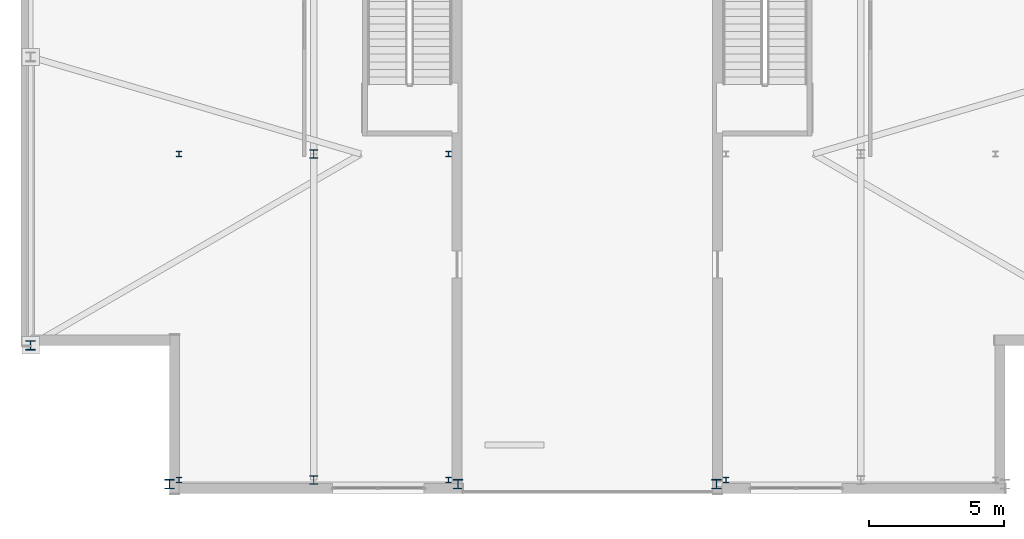
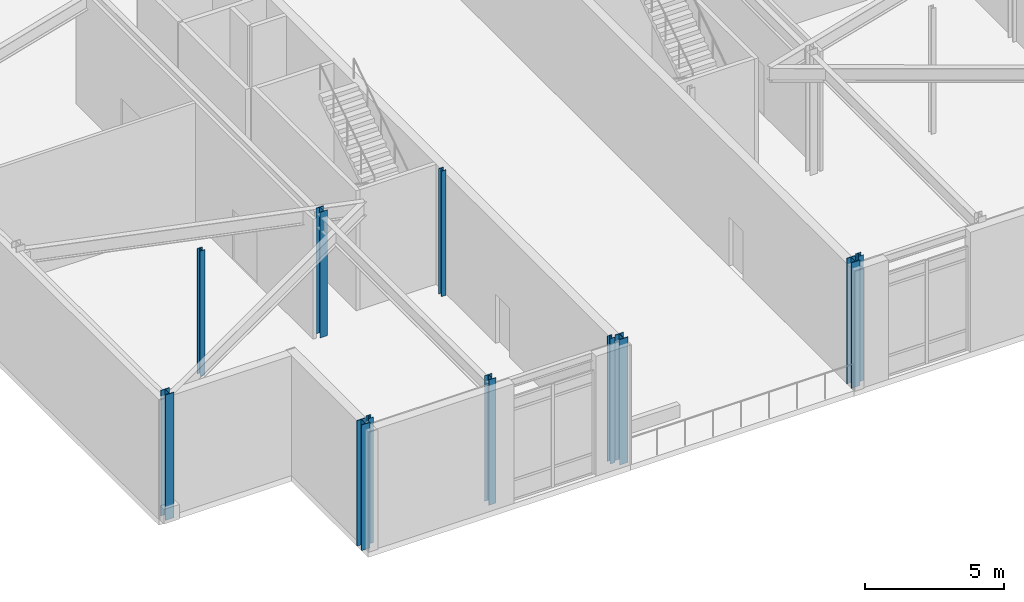
# One storey, part 1 of 16: 11 columns.
"""IFC4 building model written with IfcOpenShell, lengths in metres."""

from ifc_helpers import new_model, si_unit, direction, frame, origin, origin_2d, place, context, subcontext, project, spatial, i_section, extrude, material, material_profile, profile_set, type_object, element, save


model = new_model("IFC4")

# Units and contexts
model_context = context("Model", 3, precision=1e-05, world=origin(), true_north=direction((0.0, 1.0)))
body_context = subcontext(model_context, "Body", "Model", "MODEL_VIEW")
ifc_project = project(units=[si_unit("LENGTHUNIT", "METRE"), si_unit("AREAUNIT", "SQUARE_METRE"), si_unit("VOLUMEUNIT", "CUBIC_METRE"), si_unit("PLANEANGLEUNIT", "RADIAN"), si_unit("MASSUNIT", "GRAM", prefix="KILO")], contexts=[model_context])

# Site, building, storey
site_placement = place(None, origin())
site = spatial("IfcSite", under=ifc_project, at=site_placement, CompositionType="ELEMENT")
building_placement = place(site_placement, origin())
building = spatial("IfcBuilding", under=site, at=building_placement, Name="Cairnveth Concourse Tower", CompositionType="ELEMENT")
storey_placement = place(building_placement, frame((0.0, 0.0, 324.5)))
storey = spatial("IfcBuildingStorey", under=building, at=storey_placement, Name="L89", CompositionType="ELEMENT", Elevation=324.5)

# Columns
ifc_material = material(Name="Steel Grade 350", Category="steel")
ifc_material_profile_1 = material_profile(ifc_material, i_section(OverallWidth=0.202880859375, OverallDepth=0.202880859375, WebThickness=0.00927734375, FlangeThickness=0.01416015625, FilletRadius=0.010009765625, at=origin_2d()), Name="200UC59.5")
ifc_profile_set_1 = profile_set([ifc_material_profile_1], Name="Steel Grade 350")
column_type_1 = type_object("IfcColumnType", Name="PILASTER STEEL COLUMN 200UC59.5", PredefinedType="PILASTER", material=ifc_profile_set_1)
for number, where, z_axis, x_axis, name in (
    (1, (36.85009765625, 18.5, 0.0), (0.0, 0.0, 1.0), (1.0, 0.0, 0.0), "Column CRL-W1 L89"),
    (2, (46.85009765625, 18.5, 0.0), (0.0, 0.0, 1.0), (1.0, 0.0, 0.0), "Column CRR-W1 L89"),
    (3, (36.85009765625, 30.60009765625, 0.0), (0.0, 0.0, 1.0), (1.0, 0.0, 0.0), "Column CRL-W2 L89"),
    (4, (46.85009765625, 30.60009765625, 0.0), (0.0, 0.0, 1.0), (1.0, 0.0, 0.0), "Column CRR-W2 L89"),
    (5, (57.14990234375, 18.5, 0.0), (0.0, 0.0, 1.0), (1.0, 0.0, 0.0), "Column CRL-E1 L89"),
):
    element("IfcColumn", number, at=place(storey_placement, frame(where, z_axis=z_axis, x_axis=x_axis)), inside=storey, type_object=column_type_1, Name=name, PredefinedType="PILASTER", context=body_context, shape_type="SweptSolid", body=[
        extrude(i_section(OverallWidth=0.202880859375, OverallDepth=0.202880859375, WebThickness=0.00927734375, FlangeThickness=0.01416015625, FilletRadius=0.010009765625, at=origin_2d()), origin(), (0.0, 0.0, 1.0), 5.5),
    ])
ifc_material_profile_2 = material_profile(ifc_material, i_section(OverallWidth=0.306884765625, OverallDepth=0.31494140625, WebThickness=0.011962890625, FlangeThickness=0.018798828125, FilletRadius=0.01611328125, at=origin_2d()), Name="310UC118")
ifc_profile_set_2 = profile_set([ifc_material_profile_2], Name="Steel Grade 350")
column_type_2 = type_object("IfcColumnType", Name="UNIVERSAL STEEL COLUMN 310UC118", PredefinedType="COLUMN", material=ifc_profile_set_2)
for number, where, z_axis, x_axis, name in (
    (6, (41.85009765625, 18.5, 0.0), (0.0, 0.0, 1.0), (1.0, 0.0, 0.0), "Column CRM-W1 L89"),
    (7, (41.85009765625, 30.60009765625, 0.0), (0.0, 0.0, 1.0), (1.0, 0.0, 0.0), "Column CRM-W2 L89"),
):
    element("IfcColumn", number, at=place(storey_placement, frame(where, z_axis=z_axis, x_axis=x_axis)), inside=storey, type_object=column_type_2, Name=name, PredefinedType="COLUMN", context=body_context, shape_type="SweptSolid", body=[
        extrude(i_section(OverallWidth=0.306884765625, OverallDepth=0.31494140625, WebThickness=0.011962890625, FlangeThickness=0.018798828125, FilletRadius=0.01611328125, at=origin_2d()), origin(), (0.0, 0.0, 1.0), 5.5),
    ])
ifc_material_profile_3 = material_profile(ifc_material, i_section(OverallWidth=0.35009765625, OverallDepth=0.35009765625, WebThickness=0.02001953125, FlangeThickness=0.028076171875, at=origin_2d()), Name="350WC197")
ifc_profile_set_3 = profile_set([ifc_material_profile_3], Name="Steel Grade 350")
column_type_3 = type_object("IfcColumnType", Name="WELDED STEEL COLUMN 350WC197", PredefinedType="COLUMN", material=ifc_profile_set_3)
for number, where, z_axis, x_axis, name in (
    (8, (36.5, 18.35009765625, 0.0), (0.0, 0.0, 1.0), (1.0, 0.0, 0.0), "Column CR-S1 L89"),
    (9, (47.199951171875, 18.35009765625, 0.0), (0.0, 0.0, 1.0), (1.0, 0.0, 0.0), "Column CR-S2 L89"),
    (10, (56.800048828125, 18.35009765625, 0.0), (0.0, 0.0, 1.0), (1.0, 0.0, 0.0), "Column CR-S3 L89"),
    (11, (31.35009765625, 23.5, 0.0), (0.0, 0.0, 1.0), (1.0, 0.0, 0.0), "Column CR-W4 L89"),
):
    element("IfcColumn", number, at=place(storey_placement, frame(where, z_axis=z_axis, x_axis=x_axis)), inside=storey, type_object=column_type_3, Name=name, PredefinedType="COLUMN", context=body_context, shape_type="SweptSolid", body=[
        extrude(i_section(OverallWidth=0.35009765625, OverallDepth=0.35009765625, WebThickness=0.02001953125, FlangeThickness=0.028076171875, at=origin_2d()), origin(), (0.0, 0.0, 1.0), 5.5),
    ])

save(model, "model.ifc")
